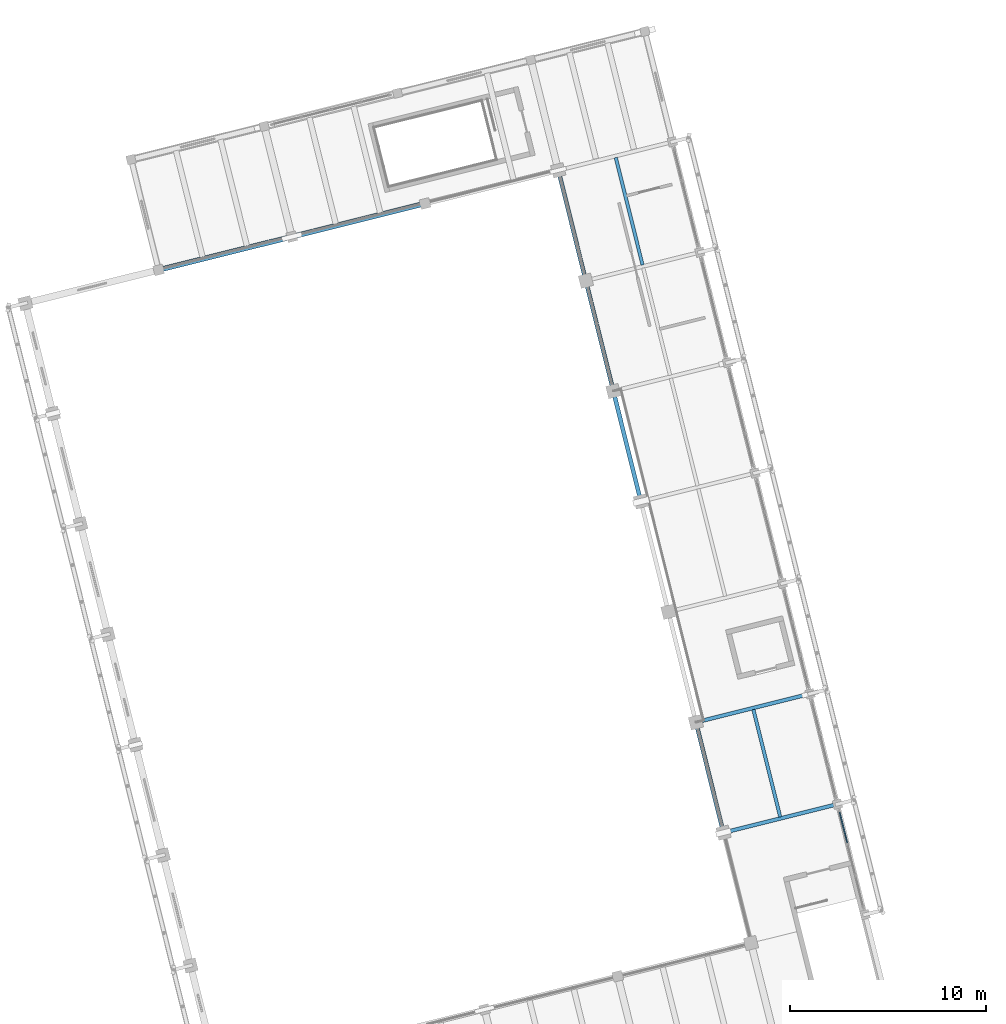
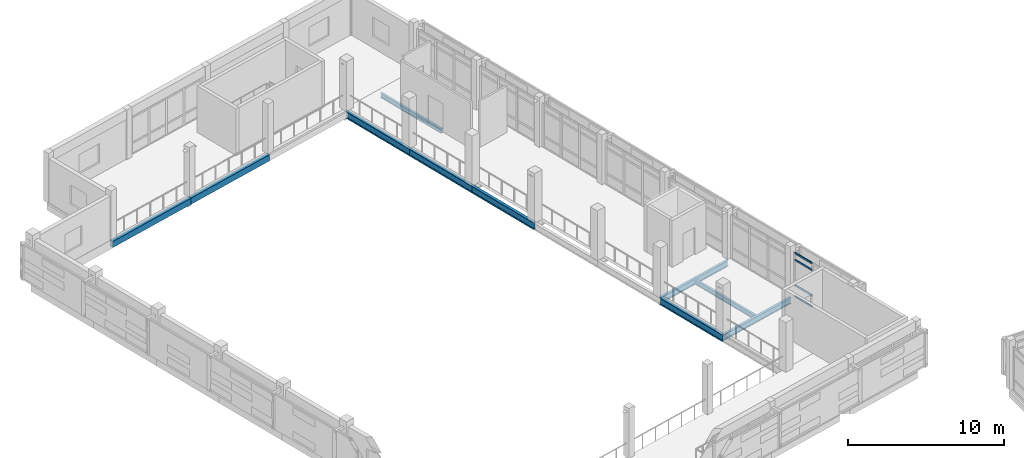
# One storey, part 19 of 117: 10 beams, 4 members, 1 element without a shape of its own.
"""IFC4 building model written with IfcOpenShell, lengths in metres."""

from ifc_helpers import new_model, si_unit, direction, frame, origin, origin_2d, place, context, subcontext, project, spatial, rectangle, i_section, extrude, material, material_profile, profile_set, type_object, element, aggregate, save


model = new_model("IFC4")

# Units and contexts
model_context = context("Model", 3, precision=1e-05, world=origin(), true_north=direction((0.0, 1.0)))
body_context = subcontext(model_context, "Body", "Model", "MODEL_VIEW")
ifc_project = project(units=[si_unit("LENGTHUNIT", "METRE"), si_unit("AREAUNIT", "SQUARE_METRE"), si_unit("VOLUMEUNIT", "CUBIC_METRE"), si_unit("PLANEANGLEUNIT", "RADIAN"), si_unit("MASSUNIT", "GRAM", prefix="KILO")], contexts=[model_context])

# Site, building, storey
site_placement = place(None, origin())
site = spatial("IfcSite", under=ifc_project, at=site_placement, CompositionType="ELEMENT")
building_placement = place(site_placement, origin())
building = spatial("IfcBuilding", under=site, at=building_placement, Name="Cinderway Yard Community Centre", CompositionType="ELEMENT")
storey_placement = place(building_placement, frame((0.0, 0.0, 9.0)))
storey = spatial("IfcBuildingStorey", under=building, at=storey_placement, Name="L02", CompositionType="ELEMENT", Elevation=9.0)

# Curtain wall, members
ifc_material_1 = material(Name="Aluminium 6063-T6", Category="aluminium")
curtain_wall_type = type_object("IfcCurtainWallType", Name="ENV-CW-TYPE-07", PredefinedType="USERDEFINED", material=ifc_material_1)
curtain_wall_placement = place(storey_placement, origin())
curtain_wall = element("IfcCurtainWall", 1, at=curtain_wall_placement, inside=storey, type_object=curtain_wall_type, Name="Main Hall Courtyard Curtain Wall ENV-CW-L02-HS-0020", ObjectType="GLAZED CURTAIN WALL", PredefinedType="USERDEFINED")
ifc_material_profile_1 = material_profile(ifc_material_1, rectangle(XDim=0.06494140625, YDim=0.139892578125, at=origin_2d()), Name="Aluminium 6063-T6")
ifc_profile_set_1 = profile_set([ifc_material_profile_1], Name="Aluminium 6063-T6")
member_type = type_object("IfcMemberType", Name="ENV-CW-TRAN-140", PredefinedType="USERDEFINED", material=ifc_profile_set_1)
member_1_placement = place(storey_placement, frame((51.885498046875, 37.0068359375, 0.030029296875), z_axis=(-0.241926573916, 0.970294559829, 0.0), x_axis=(-0.970294559829, -0.241926573916, 0.0)))
member_1 = element("IfcMember", 2, at=member_1_placement, type_object=member_type, Name="CW-07 transom 3.1", ObjectType="TRANSOM", PredefinedType="USERDEFINED", context=body_context, shape_type="SweptSolid", body=[
    extrude(rectangle(XDim=0.06494140625, YDim=0.139892578125, at=origin_2d()), origin(), (0.0, 0.0, 1.0), 1.603515625),
])
member_2_placement = place(storey_placement, frame((51.885498046875, 37.0068359375, 0.89990234375), z_axis=(-0.241926573916, 0.970294559829, 0.0), x_axis=(-0.970294559829, -0.241926573916, 0.0)))
member_2 = element("IfcMember", 3, at=member_2_placement, type_object=member_type, Name="CW-07 transom 3.2", ObjectType="TRANSOM", PredefinedType="USERDEFINED", context=body_context, shape_type="SweptSolid", body=[
    extrude(rectangle(XDim=0.06494140625, YDim=0.139892578125, at=origin_2d()), origin(), (0.0, 0.0, 1.0), 1.603515625),
])
member_3_placement = place(storey_placement, frame((51.885498046875, 37.0068359375, 2.89990234375), z_axis=(-0.241926573916, 0.970294559829, 0.0), x_axis=(-0.970294559829, -0.241926573916, 0.0)))
member_3 = element("IfcMember", 4, at=member_3_placement, type_object=member_type, Name="CW-07 transom 3.3", ObjectType="TRANSOM", PredefinedType="USERDEFINED", context=body_context, shape_type="SweptSolid", body=[
    extrude(rectangle(XDim=0.06494140625, YDim=0.139892578125, at=origin_2d()), origin(), (0.0, 0.0, 1.0), 1.603515625),
])
member_4_placement = place(storey_placement, frame((51.885498046875, 37.0068359375, 3.419921875), z_axis=(-0.241926573916, 0.970294559829, 0.0), x_axis=(-0.970294559829, -0.241926573916, 0.0)))
member_4 = element("IfcMember", 5, at=member_4_placement, type_object=member_type, Name="CW-07 transom 3.4", ObjectType="TRANSOM", PredefinedType="USERDEFINED", context=body_context, shape_type="SweptSolid", body=[
    extrude(rectangle(XDim=0.06494140625, YDim=0.139892578125, at=origin_2d()), origin(), (0.0, 0.0, 1.0), 1.603515625),
])
aggregate(curtain_wall, [member_1, member_2, member_3, member_4])

# Beams
ifc_material_2 = material(Name="Concrete C40/50", Category="concrete")
ifc_material_profile_2 = material_profile(ifc_material_2, rectangle(XDim=0.260009765625, YDim=0.47998046875, at=origin_2d()), Name="Concrete C40/50")
ifc_profile_set_2 = profile_set([ifc_material_profile_2], Name="Concrete C40/50")
beam_type_1 = type_object("IfcBeamType", Name="STR-BM-RC260X480", PredefinedType="SPANDREL", material=ifc_profile_set_2)
beam_1_placement = place(storey_placement, frame((16.779052734375, 66.2041015625, -0.47998046875), z_axis=(0.970290015189, 0.241944800366, 0.0), x_axis=(-0.241944800366, 0.970290015189, 0.0)))
element("IfcBeam", 6, at=beam_1_placement, inside=storey, type_object=beam_type_1, Name="Primary girder STR-BM-L02-SP01-0369", PredefinedType="SPANDREL", context=body_context, shape_type="SweptSolid", body=[
    extrude(rectangle(XDim=0.260009765625, YDim=0.47998046875, at=origin_2d()), origin(), (0.0, 0.0, 1.0), 7.0009765625),
])
beam_2_placement = place(storey_placement, frame((23.572021484375, 67.89794921875, -0.47998046875), z_axis=(0.970306409839, 0.241879042136, 0.0), x_axis=(-0.241879042136, 0.970306409839, 0.0)))
element("IfcBeam", 7, at=beam_2_placement, inside=storey, type_object=beam_type_1, Name="Primary girder STR-BM-L02-SP01-0370", PredefinedType="SPANDREL", context=body_context, shape_type="SweptSolid", body=[
    extrude(rectangle(XDim=0.260009765625, YDim=0.47998046875, at=origin_2d()), origin(), (0.0, 0.0, 1.0), 6.999755859375),
])
ifc_material_3 = material(Name="Steel S355", Category="steel")
ifc_material_profile_3 = material_profile(ifc_material_3, i_section(OverallWidth=0.172119140625, OverallDepth=0.35791015625, WebThickness=0.0078125, FlangeThickness=0.01318359375, FilletRadius=0.010986328125, at=origin_2d()), Name="Steel S355")
ifc_profile_set_3 = profile_set([ifc_material_profile_3], Name="Steel S355")
beam_type_2 = type_object("IfcBeamType", Name="STR-BM-W360X57", PredefinedType="JOIST", material=ifc_profile_set_3)
beam_3_placement = place(storey_placement, frame((48.467041015625, 38.319091796875, -0.4189453125), z_axis=(-0.241945438317, 0.970289856114, 0.0), x_axis=(-0.970289856114, -0.241945438317, 0.0)))
element("IfcBeam", 8, at=beam_3_placement, inside=storey, type_object=beam_type_2, Name="Secondary joist STR-BM-L02-SJ03-0364", PredefinedType="JOIST", context=body_context, shape_type="SweptSolid", body=[
    extrude(i_section(OverallWidth=0.172119140625, OverallDepth=0.35791015625, WebThickness=0.0078125, FlangeThickness=0.01318359375, FilletRadius=0.010986328125, at=origin_2d()), origin(), (0.0, 0.0, 1.0), 5.645751953125),
])
beam_4_placement = place(storey_placement, frame((41.450927734375, 66.4580078125, -0.4189453125), z_axis=(-0.241986051488, 0.970279728164, 0.0), x_axis=(-0.970279728164, -0.241986051488, 0.0)))
element("IfcBeam", 9, at=beam_4_placement, inside=storey, type_object=beam_type_2, Name="Secondary joist STR-BM-L02-SJ03-0368", PredefinedType="JOIST", context=body_context, shape_type="SweptSolid", body=[
    extrude(i_section(OverallWidth=0.172119140625, OverallDepth=0.35791015625, WebThickness=0.0078125, FlangeThickness=0.01318359375, FilletRadius=0.010986328125, at=origin_2d()), origin(), (0.0, 0.0, 1.0), 5.644775390625),
])
ifc_material_profile_4 = material_profile(ifc_material_3, i_section(OverallWidth=0.19091796875, OverallDepth=0.4599609375, WebThickness=0.010009765625, FlangeThickness=0.014404296875, FilletRadius=0.012939453125, at=origin_2d()), Name="Steel S355")
ifc_profile_set_4 = profile_set([ifc_material_profile_4], Name="Steel S355")
beam_type_3 = type_object("IfcBeamType", Name="STR-BM-W460X82", PredefinedType="JOIST", material=ifc_profile_set_4)
beam_5_placement = place(storey_placement, frame((45.574951171875, 37.51806640625, -0.469970703125), z_axis=(0.970274015212, 0.242008957282, 0.0), x_axis=(-0.242008957282, 0.970274015212, 0.0)))
element("IfcBeam", 10, at=beam_5_placement, inside=storey, type_object=beam_type_3, Name="Primary girder STR-BM-L02-SJ01-0343", PredefinedType="JOIST", context=body_context, shape_type="SweptSolid", body=[
    extrude(i_section(OverallWidth=0.19091796875, OverallDepth=0.4599609375, WebThickness=0.010009765625, FlangeThickness=0.014404296875, FilletRadius=0.012939453125, at=origin_2d()), origin(), (0.0, 0.0, 1.0), 5.999267578125),
])
beam_6_placement = place(storey_placement, frame((44.1708984375, 43.14599609375, -0.469970703125), z_axis=(0.970283546542, 0.241970740608, 0.0), x_axis=(-0.241970740608, 0.970283546542, 0.0)))
element("IfcBeam", 11, at=beam_6_placement, inside=storey, type_object=beam_type_3, Name="Primary girder STR-BM-L02-SJ01-0344", PredefinedType="JOIST", context=body_context, shape_type="SweptSolid", body=[
    extrude(i_section(OverallWidth=0.19091796875, OverallDepth=0.4599609375, WebThickness=0.010009765625, FlangeThickness=0.014404296875, FilletRadius=0.012939453125, at=origin_2d()), origin(), (0.0, 0.0, 1.0), 6.000244140625),
])
ifc_material_profile_5 = material_profile(ifc_material_3, i_section(OverallWidth=0.2109375, OverallDepth=0.5390625, WebThickness=0.010986328125, FlangeThickness=0.017333984375, FilletRadius=0.013916015625, at=origin_2d()), Name="Steel S355")
ifc_profile_set_5 = profile_set([ifc_material_profile_5], Name="Steel S355")
beam_type_4 = type_object("IfcBeamType", Name="STR-BM-W530X109", PredefinedType="BEAM", material=ifc_profile_set_5)
beam_7_placement = place(storey_placement, frame((45.574951171875, 37.51806640625, -0.510009765625), z_axis=(-0.242060225261, 0.970261226344, 0.0), x_axis=(-0.970261226344, -0.242060225261, 0.0)))
element("IfcBeam", 12, at=beam_7_placement, inside=storey, type_object=beam_type_4, Name="Transverse girder STR-BM-L02-SB06-0351", PredefinedType="BEAM", context=body_context, shape_type="SweptSolid", body=[
    extrude(i_section(OverallWidth=0.2109375, OverallDepth=0.5390625, WebThickness=0.010986328125, FlangeThickness=0.017333984375, FilletRadius=0.013916015625, at=origin_2d()), origin(), (0.0, 0.0, 1.0), 5.800537109375),
])
beam_8_placement = place(storey_placement, frame((41.364990234375, 54.402099609375, -0.510009765625), z_axis=(-0.241941244896, 0.97029090175, 0.0), x_axis=(-0.97029090175, -0.241941244896, 0.0)))
element("IfcBeam", 13, at=beam_8_placement, inside=storey, type_object=beam_type_4, Name="Transverse girder STR-BM-L02-SB06-0354", PredefinedType="BEAM", context=body_context, shape_type="SweptSolid", body=[
    extrude(i_section(OverallWidth=0.2109375, OverallDepth=0.5390625, WebThickness=0.010986328125, FlangeThickness=0.017333984375, FilletRadius=0.013916015625, at=origin_2d()), origin(), (0.0, 0.0, 1.0), 5.79931640625),
])
beam_9_placement = place(storey_placement, frame((39.9619140625, 60.029052734375, -0.510009765625), z_axis=(-0.241862090534, 0.970310635396, 0.0), x_axis=(-0.970310635396, -0.241862090534, 0.0)))
element("IfcBeam", 14, at=beam_9_placement, inside=storey, type_object=beam_type_4, Name="Transverse girder STR-BM-L02-SB06-0355", PredefinedType="BEAM", context=body_context, shape_type="SweptSolid", body=[
    extrude(i_section(OverallWidth=0.2109375, OverallDepth=0.5390625, WebThickness=0.010986328125, FlangeThickness=0.017333984375, FilletRadius=0.013916015625, at=origin_2d()), origin(), (0.0, 0.0, 1.0), 5.800048828125),
])
beam_10_placement = place(storey_placement, frame((38.55908203125, 65.656982421875, -0.510009765625), z_axis=(-0.2419017199, 0.97030075642, 0.0), x_axis=(-0.97030075642, -0.2419017199, 0.0)))
element("IfcBeam", 15, at=beam_10_placement, inside=storey, type_object=beam_type_4, Name="Transverse girder STR-BM-L02-SB06-0356", PredefinedType="BEAM", context=body_context, shape_type="SweptSolid", body=[
    extrude(i_section(OverallWidth=0.2109375, OverallDepth=0.5390625, WebThickness=0.010986328125, FlangeThickness=0.017333984375, FilletRadius=0.013916015625, at=origin_2d()), origin(), (0.0, 0.0, 1.0), 5.80029296875),
])

save(model, "model.ifc")
